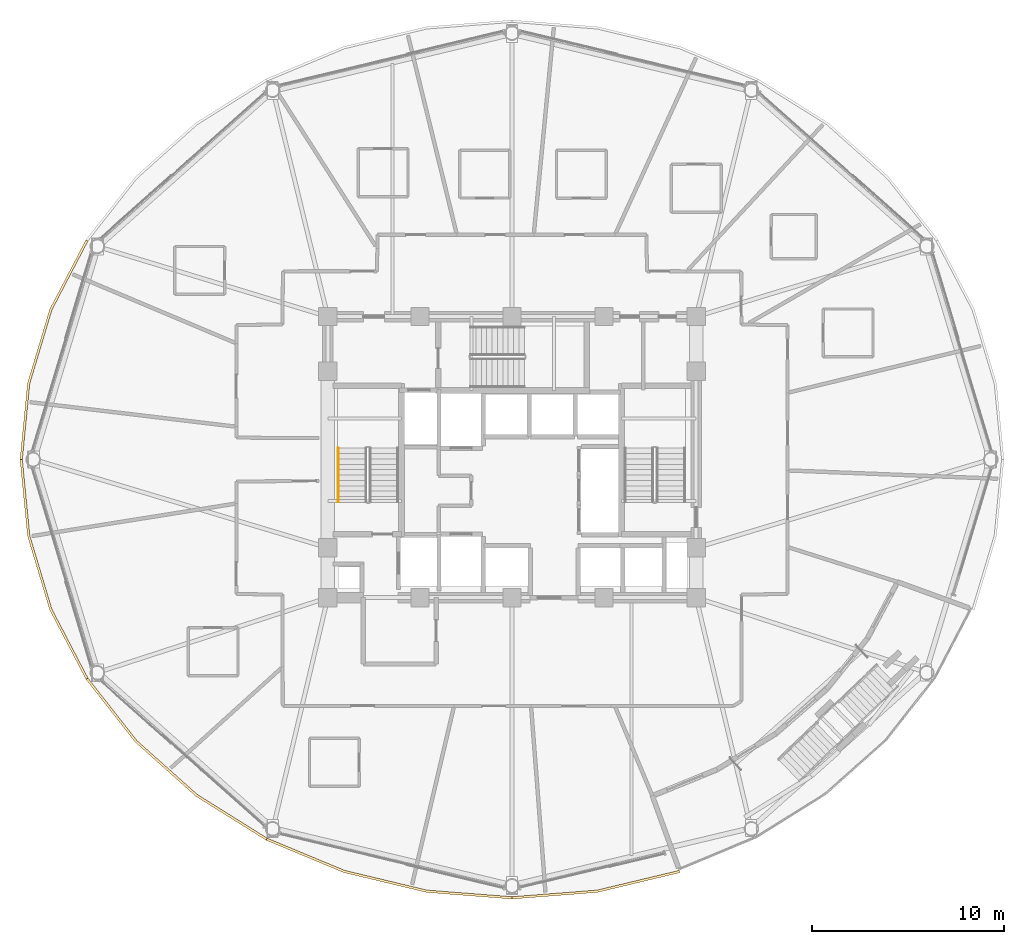
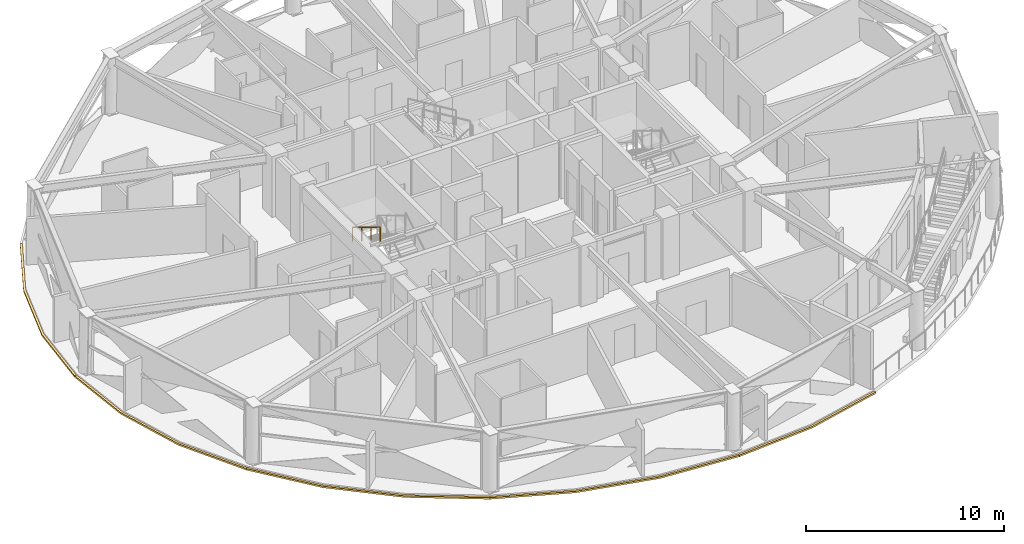
# One storey, part 15 of 18: 5 coverings, 1 railing.
"""IFC4 building model written with IfcOpenShell, lengths in metres."""

from ifc_helpers import new_model, si_unit, direction, frame, origin, origin_2d, place, context, subcontext, project, spatial, polyline, rectangle, outline, extrude, material, layer, layer_set, type_object, element, save


model = new_model("IFC4")

# Units and contexts
model_context = context("Model", 3, precision=1e-05, world=origin(), true_north=direction((0.0, 1.0)))
body_context = subcontext(model_context, "Body", "Model", "MODEL_VIEW")
ifc_project = project(units=[si_unit("LENGTHUNIT", "METRE"), si_unit("AREAUNIT", "SQUARE_METRE"), si_unit("VOLUMEUNIT", "CUBIC_METRE"), si_unit("PLANEANGLEUNIT", "RADIAN"), si_unit("MASSUNIT", "GRAM", prefix="KILO")], contexts=[model_context])

# Site, building, storey
site_placement = place(None, origin())
site = spatial("IfcSite", under=ifc_project, at=site_placement, CompositionType="ELEMENT")
building_placement = place(site_placement, origin())
building = spatial("IfcBuilding", under=site, at=building_placement, Name="Vantalir Tower", CompositionType="ELEMENT")
storey_placement = place(building_placement, frame((0.0, 0.0, 138.449951171875)))
storey = spatial("IfcBuildingStorey", under=building, at=storey_placement, Name="L34", CompositionType="ELEMENT", Elevation=138.449951171875)

# Coverings
ifc_material_1 = material(Name="Anodised champagne aluminium sill fascia", Category="aluminium")
ifc_layer = layer(ifc_material_1, 0.125)
ifc_layer_set = layer_set([ifc_layer], Name="Anodised champagne aluminium sill fascia")
covering_type = type_object("IfcCoveringType", Name="COV-SLAB-FASCIA-125", PredefinedType="CLADDING", material=ifc_layer_set)
covering_1_placement = place(storey_placement, frame((0.0, 0.0, -0.179931640625)))
element("IfcCovering", 1, at=covering_1_placement, inside=storey, type_object=covering_type, Name="L34 Perimeter Slab-Edge Sill Fascia 06", PredefinedType="CLADDING", context=body_context, shape_type="SweptSolid", body=[
    extrude(outline(polyline([(9.2919921875, 36.455078125), (7.403076171875, 32.8359375), (6.24609375, 28.97802734375), (5.85595703125, 25.0), (5.98095703125, 25.0), (6.368896484375, 28.95703125), (7.52001953125, 32.79296875), (9.39990234375, 36.39208984375), (9.2919921875, 36.455078125)])), origin(), (0.0, 0.0, 1.0), 0.10498046875),
])
covering_2_placement = place(storey_placement, frame((0.0, 0.0, -0.179931640625)))
element("IfcCovering", 2, at=covering_2_placement, inside=storey, type_object=covering_type, Name="L34 Perimeter Slab-Edge Sill Fascia 07", PredefinedType="CLADDING", context=body_context, shape_type="SweptSolid", body=[
    extrude(outline(polyline([(5.85595703125, 25.0), (6.24609375, 21.02197265625), (7.403076171875, 17.1640625), (9.2919921875, 13.544921875), (9.39990234375, 13.60693359375), (7.52001953125, 17.20703125), (6.368896484375, 21.04296875), (5.98095703125, 25.0), (5.85595703125, 25.0)])), origin(), (0.0, 0.0, 1.0), 0.10498046875),
])
covering_3_placement = place(storey_placement, frame((0.0, 0.0, -0.179931640625)))
element("IfcCovering", 3, at=covering_3_placement, inside=storey, type_object=covering_type, Name="L34 Perimeter Slab-Edge Sill Fascia 08", PredefinedType="CLADDING", context=body_context, shape_type="SweptSolid", body=[
    extrude(outline(polyline([(9.2919921875, 13.544921875), (11.85595703125, 10.27392578125), (15.01611328125, 7.449951171875), (18.677978515625, 5.158935546875), (18.739990234375, 5.26806640625), (15.096923828125, 7.5458984375), (11.950927734375, 10.35400390625), (9.39990234375, 13.60693359375), (9.2919921875, 13.544921875)])), origin(), (0.0, 0.0, 1.0), 0.10498046875),
])
covering_4_placement = place(storey_placement, frame((0.0, 0.0, -0.179931640625)))
element("IfcCovering", 4, at=covering_4_placement, inside=storey, type_object=covering_type, Name="L34 Perimeter Slab-Edge Sill Fascia 09", PredefinedType="CLADDING", context=body_context, shape_type="SweptSolid", body=[
    extrude(outline(polyline([(18.677978515625, 5.158935546875), (22.72900390625, 3.471923828125), (27.047119140625, 2.43798828125), (31.5, 2.090087890625), (31.5, 2.215087890625), (27.069091796875, 2.56103515625), (22.77197265625, 3.589111328125), (18.739990234375, 5.26806640625), (18.677978515625, 5.158935546875)])), origin(), (0.0, 0.0, 1.0), 0.10498046875),
])
covering_5_placement = place(storey_placement, frame((0.0, 0.0, -0.179931640625)))
element("IfcCovering", 5, at=covering_5_placement, inside=storey, type_object=covering_type, Name="L34 Perimeter Slab-Edge Sill Fascia 10", PredefinedType="CLADDING", context=body_context, shape_type="SweptSolid", body=[
    extrude(outline(polyline([(31.5, 2.090087890625), (35.952880859375, 2.43798828125), (40.27099609375, 3.471923828125), (40.22802734375, 3.589111328125), (35.930908203125, 2.56103515625), (31.5, 2.215087890625), (31.5, 2.090087890625)])), origin(), (0.0, 0.0, 1.0), 0.10498046875),
])

# Railing
ifc_material_2 = material(Name="Brushed stainless steel tubular handrail", Category="steel")
railing_type = type_object("IfcRailingType", Name="RAL-HANDRAIL-900", PredefinedType="HANDRAIL", material=ifc_material_2)
railing_placement = place(storey_placement, frame((22.449951171875, 25.590087890625, 2.04541015625)))
element("IfcRailing", 6, at=railing_placement, inside=storey, type_object=railing_type, Name="L34 ST1 stair handrail 2", PredefinedType="HANDRAIL", context=body_context, shape_type="SweptSolid", body=[
    extrude(rectangle(XDim=0.048095703125, YDim=0.048095703125, at=origin_2d()), frame((0.0, 0.0, 0.8759765625), z_axis=(0.0, -0.854169791009, 0.51999420009), x_axis=(1.0, 0.0, 0.0)), (0.0, 0.0, 1.0), 3.278076171875),
    extrude(rectangle(XDim=0.0419921875, YDim=0.0419921875, at=origin_2d()), origin(), (0.0, 0.0, 1.0), 0.851806640625),
    extrude(rectangle(XDim=0.0419921875, YDim=0.0419921875, at=origin_2d()), frame((0.0, -0.933349609375, 0.568115234375)), (0.0, 0.0, 1.0), 0.851806640625),
    extrude(rectangle(XDim=0.0419921875, YDim=0.0419921875, at=origin_2d()), frame((0.0, -1.86669921875, 1.136474609375)), (0.0, 0.0, 1.0), 0.851806640625),
    extrude(rectangle(XDim=0.0419921875, YDim=0.0419921875, at=origin_2d()), frame((0.0, -2.800048828125, 1.70458984375)), (0.0, 0.0, 1.0), 0.851806640625),
])

save(model, "model.ifc")
